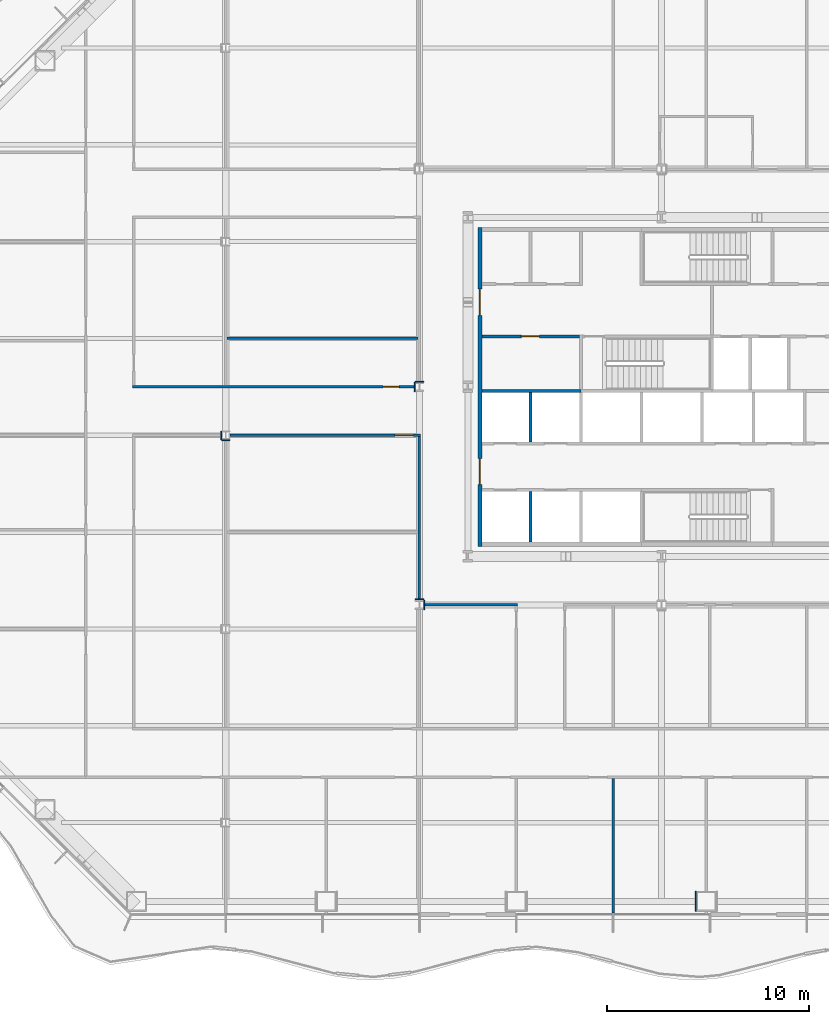
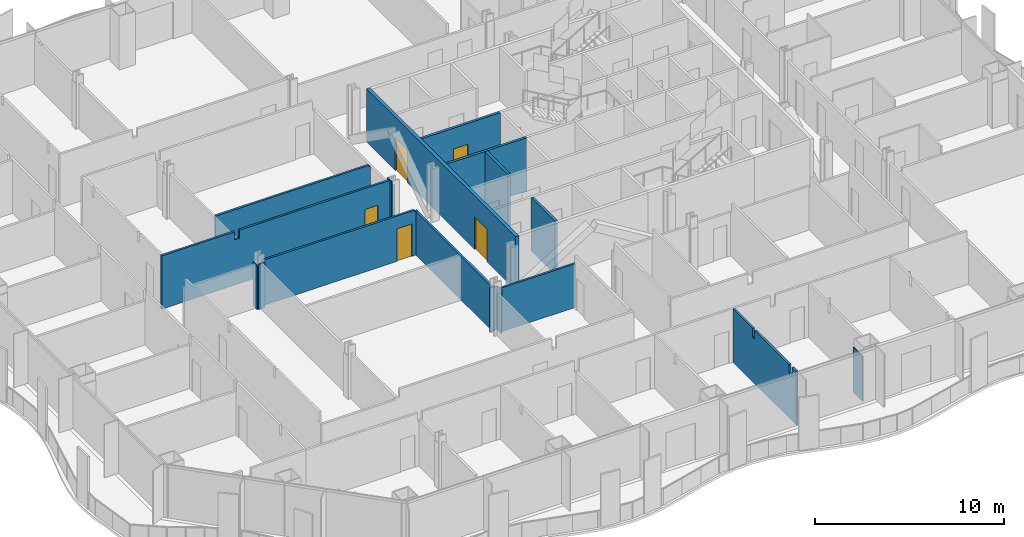
# One storey, part 9 of 21: 18 walls, 5 doors, 5 openings.
"""IFC4 building model written with IfcOpenShell, lengths in metres."""

from ifc_helpers import new_model, si_unit, direction, frame, frame_2d, origin, place, context, subcontext, project, spatial, polyline, rectangle, outline, extrude, material, layer, layer_set, type_object, element, fill, save


model = new_model("IFC4")

# Units and contexts
model_context = context("Model", 3, precision=1e-05, world=origin(), true_north=direction((0.0, 1.0)))
body_context = subcontext(model_context, "Body", "Model", "MODEL_VIEW")
ifc_project = project(units=[si_unit("LENGTHUNIT", "METRE"), si_unit("AREAUNIT", "SQUARE_METRE"), si_unit("VOLUMEUNIT", "CUBIC_METRE"), si_unit("PLANEANGLEUNIT", "RADIAN"), si_unit("MASSUNIT", "GRAM", prefix="KILO")], contexts=[model_context])

# Site, building, storey
site_placement = place(None, origin())
site = spatial("IfcSite", under=ifc_project, at=site_placement, CompositionType="ELEMENT")
building_placement = place(site_placement, origin())
building = spatial("IfcBuilding", under=site, at=building_placement, Name="Cairn Pilgrim Tower", CompositionType="ELEMENT")
storey_placement = place(building_placement, frame((0.0, 0.0, 58.199951171875)))
storey = spatial("IfcBuildingStorey", under=building, at=storey_placement, Name="L12", CompositionType="ELEMENT", Elevation=58.199951171875)

# Wall, openings, doors
ifc_material_1 = material(Name="Concrete C32/40", Category="concrete")
ifc_layer_1 = layer(ifc_material_1, 0.199951171875)
ifc_layer_set_1 = layer_set([ifc_layer_1], Name="CORE OUTER WALL 200 EI 120")
wall_type_1 = type_object("IfcWallType", Name="CORE OUTER WALL 200 EI 120", PredefinedType="SOLIDWALL", material=ifc_layer_set_1)
wall_1_placement = place(storey_placement, frame((-1.800048828125, -5.5, 0.0), z_axis=(0.0, 0.0, 1.0), x_axis=(0.0, 1.0, 0.0)))
wall_1 = element("IfcWall", 1, at=wall_1_placement, inside=storey, type_object=wall_type_1, Name="CW:L12:V12", PredefinedType="SOLIDWALL", context=body_context, shape_type="SweptSolid", body=[
    extrude(rectangle(XDim=15.800048828125, YDim=0.199951171875, at=frame_2d((7.89990234375, 0.0))), origin(), (0.0, 0.0, 1.0), 3.449951171875),
])
opening_1_placement = place(wall_1_placement, frame((3.050048828125, 0.0, 0.0)))
opening_1 = element("IfcOpeningElement", 2, at=opening_1_placement, cuts=wall_1, Name="Opening CD-W1", PredefinedType="OPENING", context=body_context, shape_type="SweptSolid", body=[
    extrude(rectangle(XDim=1.300048828125, YDim=2.10009765625, at=frame_2d((0.64990234375, 1.050048828125))), frame((0.0, 0.10986328125, 0.0), z_axis=(0.0, -1.0, 0.0), x_axis=(1.0, 0.0, 0.0)), (0.0, 0.0, 1.0), 0.219970703125),
])
opening_2_placement = place(wall_1_placement, frame((11.449951171875, 0.0, 0.0)))
opening_2 = element("IfcOpeningElement", 3, at=opening_2_placement, cuts=wall_1, Name="Opening CD-W2", PredefinedType="OPENING", context=body_context, shape_type="SweptSolid", body=[
    extrude(rectangle(XDim=1.300048828125, YDim=2.10009765625, at=frame_2d((0.64990234375, 1.050048828125))), frame((0.0, 0.10986328125, 0.0), z_axis=(0.0, -1.0, 0.0), x_axis=(1.0, 0.0, 0.0)), (0.0, 0.0, 1.0), 0.219970703125),
])
ifc_material_2 = material(Name="Painted steel", Category="steel")
door_type_1 = type_object("IfcDoorType", Name="CORE LOBBY DOOR 1300x2100", OperationType="DOUBLE_DOOR_SINGLE_SWING", PredefinedType="DOOR", material=ifc_material_2)
door_1_placement = place(opening_1_placement, origin())
door_1 = element("IfcDoor", 4, at=door_1_placement, inside=storey, type_object=door_type_1, Name="CD-W1", OperationType="DOUBLE_DOOR_SINGLE_SWING", OverallHeight=2.10009765625, OverallWidth=1.300048828125, PredefinedType="DOOR", context=body_context, shape_type="SweptSolid", body=[
    extrude(rectangle(XDim=1.300048828125, YDim=2.10009765625, at=frame_2d((0.64990234375, 1.050048828125))), frame((0.0, 0.02490234375, 0.0), z_axis=(0.0, -1.0, 0.0), x_axis=(1.0, 0.0, 0.0)), (0.0, 0.0, 1.0), 0.050048828125),
])
fill(opening_1, door_1)
door_2_placement = place(opening_2_placement, origin())
door_2 = element("IfcDoor", 5, at=door_2_placement, inside=storey, type_object=door_type_1, Name="CD-W2", OperationType="DOUBLE_DOOR_SINGLE_SWING", OverallHeight=2.10009765625, OverallWidth=1.300048828125, PredefinedType="DOOR", context=body_context, shape_type="SweptSolid", body=[
    extrude(rectangle(XDim=1.300048828125, YDim=2.10009765625, at=frame_2d((0.64990234375, 1.050048828125))), frame((0.0, 0.02490234375, 0.0), z_axis=(0.0, -1.0, 0.0), x_axis=(1.0, 0.0, 0.0)), (0.0, 0.0, 1.0), 0.050048828125),
])
fill(opening_2, door_2)

# Wall, opening, door
ifc_layer_2 = layer(ifc_material_1, 0.14990234375)
ifc_layer_set_2 = layer_set([ifc_layer_2], Name="CORE PARTITION 150 EI 60")
wall_type_2 = type_object("IfcWallType", Name="CORE PARTITION 150 EI 60", PredefinedType="PARTITIONING", material=ifc_layer_set_2)
wall_2_placement = place(storey_placement, frame((-1.699951171875, 4.89990234375, 0.0), z_axis=(0.0, 0.0, 1.0), x_axis=(1.0, 0.0, 0.0)))
wall_2 = element("IfcWall", 6, at=wall_2_placement, inside=storey, type_object=wall_type_2, Name="CW:L12:H07", PredefinedType="PARTITIONING", context=body_context, shape_type="SweptSolid", body=[
    extrude(rectangle(XDim=4.824951171875, YDim=0.14990234375, at=frame_2d((2.41259765625, 0.0))), origin(), (0.0, 0.0, 1.0), 3.449951171875),
])
opening_3_placement = place(wall_2_placement, frame((1.949951171875, 0.0, 0.0)))
opening_3 = element("IfcOpeningElement", 7, at=opening_3_placement, cuts=wall_2, Name="Opening RD-R3W1", PredefinedType="OPENING", context=body_context, shape_type="SweptSolid", body=[
    extrude(rectangle(XDim=0.89990234375, YDim=2.10009765625, at=frame_2d((0.449951171875, 1.050048828125))), frame((0.0, 0.0849609375, 0.0), z_axis=(0.0, -1.0, 0.0), x_axis=(1.0, 0.0, 0.0)), (0.0, 0.0, 1.0), 0.169921875),
])
door_type_2 = type_object("IfcDoorType", Name="SERVICE ROOM DOOR 900x2100", OperationType="SINGLE_SWING_LEFT", PredefinedType="DOOR", material=ifc_material_2)
door_3_placement = place(opening_3_placement, origin())
door_3 = element("IfcDoor", 8, at=door_3_placement, inside=storey, type_object=door_type_2, Name="RD-R3W1", OperationType="SINGLE_SWING_LEFT", OverallHeight=2.10009765625, OverallWidth=0.89990234375, PredefinedType="DOOR", context=body_context, shape_type="SweptSolid", body=[
    extrude(rectangle(XDim=0.89990234375, YDim=2.10009765625, at=frame_2d((0.449951171875, 1.050048828125))), frame((0.0, 0.02490234375, 0.0), z_axis=(0.0, -1.0, 0.0), x_axis=(1.0, 0.0, 0.0)), (0.0, 0.0, 1.0), 0.050048828125),
])
fill(opening_3, door_3)

# Walls
ifc_layer_3 = layer(ifc_material_1, 0.14990234375)
ifc_layer_set_3 = layer_set([ifc_layer_3], Name="CORE SHAFT WALL 150 EI 120")
wall_type_3 = type_object("IfcWallType", Name="CORE SHAFT WALL 150 EI 120", PredefinedType="SOLIDWALL", material=ifc_layer_set_3)
wall_3_placement = place(storey_placement, frame((-1.699951171875, 2.199951171875, 0.0), z_axis=(0.0, 0.0, 1.0), x_axis=(1.0, 0.0, 0.0)))
element("IfcWall", 9, at=wall_3_placement, inside=storey, type_object=wall_type_3, Name="CW:L12:H05-1", PredefinedType="SOLIDWALL", context=body_context, shape_type="SweptSolid", body=[
    extrude(rectangle(XDim=4.89990234375, YDim=0.14990234375, at=frame_2d((2.449951171875, 0.0))), origin(), (0.0, 0.0, 1.0), 3.449951171875),
])
wall_4_placement = place(storey_placement, frame((0.699951171875, -5.300048828125, 0.0), z_axis=(0.0, 0.0, 1.0), x_axis=(0.0, 1.0, 0.0)))
element("IfcWall", 10, at=wall_4_placement, inside=storey, type_object=wall_type_3, Name="CW:L12:V13", PredefinedType="SOLIDWALL", context=body_context, shape_type="SweptSolid", body=[
    extrude(rectangle(XDim=2.525146484375, YDim=0.14990234375, at=frame_2d((1.2626953125, 0.0))), origin(), (0.0, 0.0, 1.0), 3.449951171875),
])
wall_5_placement = place(storey_placement, frame((0.699951171875, -0.324951171875, 0.0), z_axis=(0.0, 0.0, 1.0), x_axis=(0.0, 1.0, 0.0)))
element("IfcWall", 11, at=wall_5_placement, inside=storey, type_object=wall_type_3, Name="CW:L12:V14", PredefinedType="SOLIDWALL", context=body_context, shape_type="SweptSolid", body=[
    extrude(rectangle(XDim=2.449951171875, YDim=0.14990234375, at=frame_2d((1.22509765625, 0.0))), origin(), (0.0, 0.0, 1.0), 3.449951171875),
])
ifc_material_3 = material(Name="Gypsum partition")
ifc_layer_4 = layer(ifc_material_3, 0.125)
ifc_layer_set_4 = layer_set([ifc_layer_4], Name="PARTITION 125 DRYWALL EI 60")
wall_type_4 = type_object("IfcWallType", Name="PARTITION 125 DRYWALL EI 60", PredefinedType="PARTITIONING", material=ifc_layer_set_4)
wall_6_placement = place(storey_placement, frame((4.800048828125, -23.68994140625, 0.0), z_axis=(0.0, 0.0, 1.0), x_axis=(0.0, 1.0, 0.0)))
element("IfcWall", 12, at=wall_6_placement, inside=storey, type_object=wall_type_4, Name="PARTITION W004", PredefinedType="PARTITIONING", context=body_context, shape_type="SweptSolid", body=[
    extrude(outline(polyline([(0.0, 0.0), (6.677490234375, 0.0), (6.677490234375, 3.449951171875), (4.594970703125, 3.449951171875), (4.593017578125, 2.880126953125), (4.385009765625, 2.880126953125), (4.383056640625, 3.449951171875), (0.739990234375, 3.449951171875), (0.738037109375, 2.929931640625), (0.43994140625, 2.929931640625), (0.43798828125, 3.449951171875), (0.0, 3.449951171875), (0.0, 0.0)])), frame((0.0, 0.0625, 0.0), z_axis=(0.0, -1.0, 0.0), x_axis=(1.0, 0.0, 0.0)), (0.0, 0.0, 1.0), 0.125),
])
wall_7_placement = place(storey_placement, frame((-4.587890625, -8.39990234375, 0.0), z_axis=(0.0, 0.0, 1.0), x_axis=(1.0, 0.0, 0.0)))
element("IfcWall", 13, at=wall_7_placement, inside=storey, type_object=wall_type_4, Name="PARTITION W031", PredefinedType="PARTITIONING", context=body_context, shape_type="SweptSolid", body=[
    extrude(rectangle(XDim=4.650390625, YDim=0.125, at=frame_2d((2.3251953125, 0.0))), origin(), (0.0, 0.0, 1.0), 2.830078125),
])
wall_8_placement = place(storey_placement, frame((-4.800048828125, -8.1630859375, 0.0), z_axis=(0.0, 0.0, 1.0), x_axis=(0.0, 1.0, 0.0)))
element("IfcWall", 14, at=wall_8_placement, inside=storey, type_object=wall_type_4, Name="PARTITION W034", PredefinedType="PARTITIONING", context=body_context, shape_type="SweptSolid", body=[
    extrude(rectangle(XDim=8.1005859375, YDim=0.125, at=frame_2d((4.05029296875, 0.0))), origin(), (0.0, 0.0, 1.0), 2.830078125),
])

# Wall, opening, door
wall_9_placement = place(storey_placement, frame((-14.195556640625, 0.0, 0.0), z_axis=(0.0, 0.0, 1.0), x_axis=(1.0, 0.0, 0.0)))
wall_9 = element("IfcWall", 15, at=wall_9_placement, inside=storey, type_object=wall_type_4, Name="PARTITION W046", PredefinedType="PARTITIONING", context=body_context, shape_type="SweptSolid", body=[
    extrude(outline(polyline([(0.0, 0.0), (9.4580078125, 0.0), (9.4580078125, 2.830078125), (9.24560546875, 2.830078125), (9.243408203125, 2.929931640625), (0.0, 2.929931640625), (0.0, 0.0)])), frame((0.0, 0.0625, 0.0), z_axis=(0.0, -1.0, 0.0), x_axis=(1.0, 0.0, 0.0)), (0.0, 0.0, 1.0), 0.125),
])
opening_4_placement = place(wall_9_placement, frame((8.195556640625, 0.0, 0.0)))
opening_4 = element("IfcOpeningElement", 16, at=opening_4_placement, cuts=wall_9, Name="Opening 1229", PredefinedType="OPENING", context=body_context, shape_type="SweptSolid", body=[
    extrude(rectangle(XDim=0.89990234375, YDim=2.10009765625, at=frame_2d((0.449951171875, 1.050048828125))), frame((0.0, 0.072509765625, 0.0), z_axis=(0.0, -1.0, 0.0), x_axis=(1.0, 0.0, 0.0)), (0.0, 0.0, 1.0), 0.14501953125),
])
ifc_material_4 = material(Name="Steel-faced fire door leaf", Category="steel")
door_type_3 = type_object("IfcDoorType", Name="FIRE DOOR 900x2100 FD30S", OperationType="NOTDEFINED", PredefinedType="DOOR", material=ifc_material_4)
door_4_placement = place(opening_4_placement, frame((0.89990234375, 0.0, 0.0), z_axis=(0.0, 0.0, 1.0), x_axis=(-1.0, 0.0, 0.0)))
door_4 = element("IfcDoor", 17, at=door_4_placement, inside=storey, type_object=door_type_3, Name="DOOR 1229", OperationType="SINGLE_SWING_RIGHT", OverallHeight=2.10009765625, OverallWidth=0.89990234375, PredefinedType="DOOR", context=body_context, shape_type="SweptSolid", body=[
    extrude(rectangle(XDim=0.89990234375, YDim=2.10009765625, at=frame_2d((0.449951171875, 1.050048828125))), frame((0.0, 0.02490234375, 0.0), z_axis=(0.0, -1.0, 0.0), x_axis=(1.0, 0.0, 0.0)), (0.0, 0.0, 1.0), 0.050048828125),
])
fill(opening_4, door_4)

wall_10_placement = place(storey_placement, frame((-19.012451171875, 2.39990234375, 0.0), z_axis=(0.0, 0.0, 1.0), x_axis=(1.0, 0.0, 0.0)))
wall_10 = element("IfcWall", 18, at=wall_10_placement, inside=storey, type_object=wall_type_4, Name="PARTITION W050", PredefinedType="PARTITIONING", context=body_context, shape_type="SweptSolid", body=[
    extrude(outline(polyline([(0.0, 0.0), (14.00048828125, 0.0), (14.00048828125, 3.449951171875), (4.762451171875, 3.449951171875), (4.760498046875, 2.929931640625), (4.46240234375, 2.929931640625), (4.46044921875, 3.449951171875), (0.0, 3.449951171875), (0.0, 0.0)])), frame((0.0, 0.0625, 0.0), z_axis=(0.0, -1.0, 0.0), x_axis=(1.0, 0.0, 0.0)), (0.0, 0.0, 1.0), 0.125),
])
opening_5_placement = place(wall_10_placement, frame((12.41259765625, 0.0, 0.0)))
opening_5 = element("IfcOpeningElement", 19, at=opening_5_placement, cuts=wall_10, Name="Opening 1230", PredefinedType="OPENING", context=body_context, shape_type="SweptSolid", body=[
    extrude(rectangle(XDim=0.800048828125, YDim=2.10009765625, at=frame_2d((0.39990234375, 1.050048828125))), frame((0.0, 0.072509765625, 0.0), z_axis=(0.0, -1.0, 0.0), x_axis=(1.0, 0.0, 0.0)), (0.0, 0.0, 1.0), 0.14501953125),
])
door_type_4 = type_object("IfcDoorType", Name="FIRE DOOR 800x2100 FD30S", OperationType="NOTDEFINED", PredefinedType="DOOR", material=ifc_material_4)
door_5_placement = place(opening_5_placement, origin())
door_5 = element("IfcDoor", 20, at=door_5_placement, inside=storey, type_object=door_type_4, Name="DOOR 1230", OperationType="SINGLE_SWING_LEFT", OverallHeight=2.10009765625, OverallWidth=0.800048828125, PredefinedType="DOOR", context=body_context, shape_type="SweptSolid", body=[
    extrude(rectangle(XDim=0.800048828125, YDim=2.10009765625, at=frame_2d((0.39990234375, 1.050048828125))), frame((0.0, 0.02490234375, 0.0), z_axis=(0.0, -1.0, 0.0), x_axis=(1.0, 0.0, 0.0)), (0.0, 0.0, 1.0), 0.050048828125),
])
fill(opening_5, door_5)

# Walls
wall_11_placement = place(storey_placement, frame((-14.33740234375, 4.800048828125, 0.0), z_axis=(0.0, 0.0, 1.0), x_axis=(1.0, 0.0, 0.0)))
element("IfcWall", 21, at=wall_11_placement, inside=storey, type_object=wall_type_4, Name="PARTITION W059", PredefinedType="PARTITIONING", context=body_context, shape_type="SweptSolid", body=[
    extrude(outline(polyline([(0.0, 0.0), (9.474853515625, 0.0), (9.47509765625, 2.830078125), (9.387451171875, 2.830078125), (9.385498046875, 2.929931640625), (0.0, 2.929931640625), (0.0, 0.0)])), frame((0.0, 0.0625, 0.0), z_axis=(0.0, -1.0, 0.0), x_axis=(1.0, 0.0, 0.0)), (0.0, 0.0, 1.0), 0.125),
])
ifc_layer_5 = layer(ifc_material_3, 0.050048828125)
ifc_layer_set_5 = layer_set([ifc_layer_5], Name="PARTITION 50 DRYWALL EI 60")
wall_type_5 = type_object("IfcWallType", Name="PARTITION 50 DRYWALL EI 60", PredefinedType="PARTITIONING", material=ifc_layer_set_5)
wall_12_placement = place(storey_placement, frame((8.888671875, -23.60009765625, 0.0), z_axis=(0.0, 0.0, 1.0), x_axis=(0.0, 1.0, 0.0)))
element("IfcWall", 22, at=wall_12_placement, inside=storey, type_object=wall_type_5, Name="COLUMN CASING WC06", PredefinedType="PARTITIONING", context=body_context, shape_type="SweptSolid", body=[
    extrude(rectangle(XDim=1.0, YDim=0.050048828125, at=frame_2d((0.5, 0.0))), origin(), (0.0, 0.0, 1.0), 2.929931640625),
])
wall_13_placement = place(storey_placement, frame((-14.62939453125, -0.21240234375, 0.0), z_axis=(0.0, 0.0, 1.0), x_axis=(0.0, 1.0, 0.0)))
element("IfcWall", 23, at=wall_13_placement, inside=storey, type_object=wall_type_5, Name="COLUMN CASING WC13", PredefinedType="PARTITIONING", context=body_context, shape_type="SweptSolid", body=[
    extrude(rectangle(XDim=0.4248046875, YDim=0.050048828125, at=frame_2d((0.21240234375, 0.0))), origin(), (0.0, 0.0, 1.0), 2.830078125),
])
wall_14_placement = place(storey_placement, frame((-4.56298828125, -8.636962890625, 0.0), z_axis=(0.0, 0.0, 1.0), x_axis=(0.0, 1.0, 0.0)))
element("IfcWall", 24, at=wall_14_placement, inside=storey, type_object=wall_type_5, Name="COLUMN CASING WC14", PredefinedType="PARTITIONING", context=body_context, shape_type="SweptSolid", body=[
    extrude(rectangle(XDim=0.473876953125, YDim=0.050048828125, at=frame_2d((0.23681640625, 0.0))), origin(), (0.0, 0.0, 1.0), 2.830078125),
])
wall_15_placement = place(storey_placement, frame((-5.011962890625, -8.137939453125, 0.0), z_axis=(0.0, 0.0, 1.0), x_axis=(1.0, 0.0, 0.0)))
element("IfcWall", 25, at=wall_15_placement, inside=storey, type_object=wall_type_5, Name="COLUMN CASING WC15", PredefinedType="PARTITIONING", context=body_context, shape_type="SweptSolid", body=[
    extrude(rectangle(XDim=0.424072265625, YDim=0.050048828125, at=frame_2d((0.2119140625, 0.0))), origin(), (0.0, 0.0, 1.0), 2.830078125),
])
wall_16_placement = place(storey_placement, frame((-14.6044921875, -0.237548828125, 0.0), z_axis=(0.0, 0.0, 1.0), x_axis=(1.0, 0.0, 0.0)))
element("IfcWall", 26, at=wall_16_placement, inside=storey, type_object=wall_type_5, Name="COLUMN CASING WC21", PredefinedType="PARTITIONING", context=body_context, shape_type="SweptSolid", body=[
    extrude(rectangle(XDim=0.408935546875, YDim=0.050048828125, at=frame_2d((0.20458984375, 0.0))), origin(), (0.0, 0.0, 1.0), 2.929931640625),
])
wall_17_placement = place(storey_placement, frame((-5.011962890625, 2.662109375, 0.0), z_axis=(0.0, 0.0, 1.0), x_axis=(1.0, 0.0, 0.0)))
element("IfcWall", 27, at=wall_17_placement, inside=storey, type_object=wall_type_5, Name="COLUMN CASING WC23", PredefinedType="PARTITIONING", context=body_context, shape_type="SweptSolid", body=[
    extrude(rectangle(XDim=0.424072265625, YDim=0.050048828125, at=frame_2d((0.2119140625, 0.0))), origin(), (0.0, 0.0, 1.0), 2.830078125),
])
wall_18_placement = place(storey_placement, frame((-5.037109375, 2.1630859375, 0.0), z_axis=(0.0, 0.0, 1.0), x_axis=(0.0, 1.0, 0.0)))
element("IfcWall", 28, at=wall_18_placement, inside=storey, type_object=wall_type_5, Name="COLUMN CASING WC25", PredefinedType="PARTITIONING", context=body_context, shape_type="SweptSolid", body=[
    extrude(rectangle(XDim=0.473876953125, YDim=0.050048828125, at=frame_2d((0.23681640625, 0.0))), origin(), (0.0, 0.0, 1.0), 3.449951171875),
])

save(model, "model.ifc")
